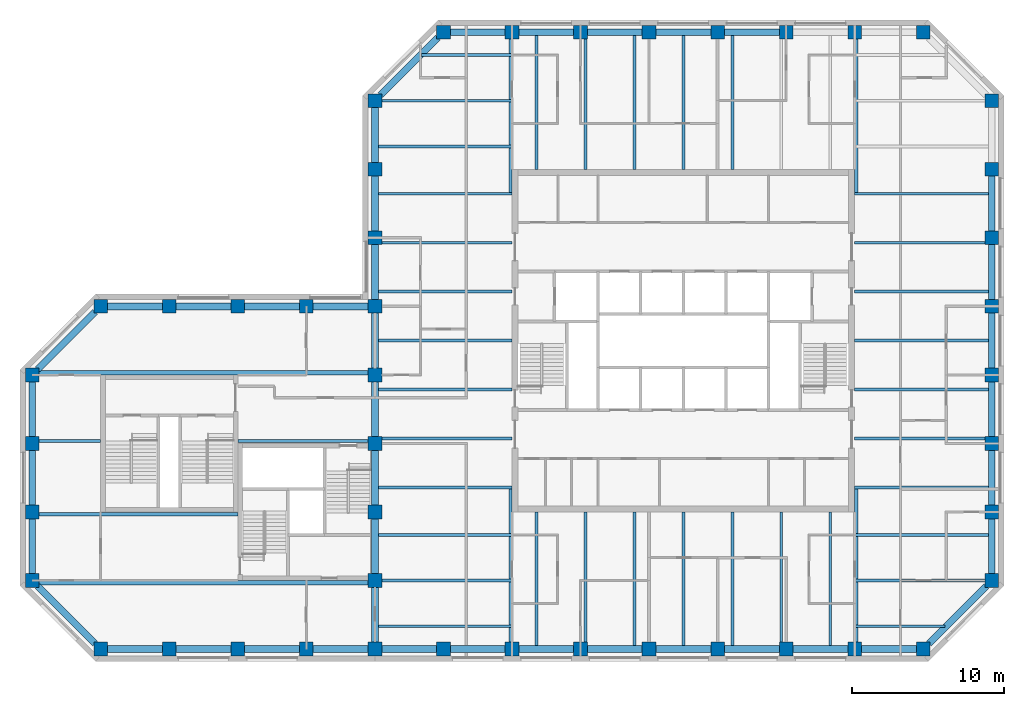
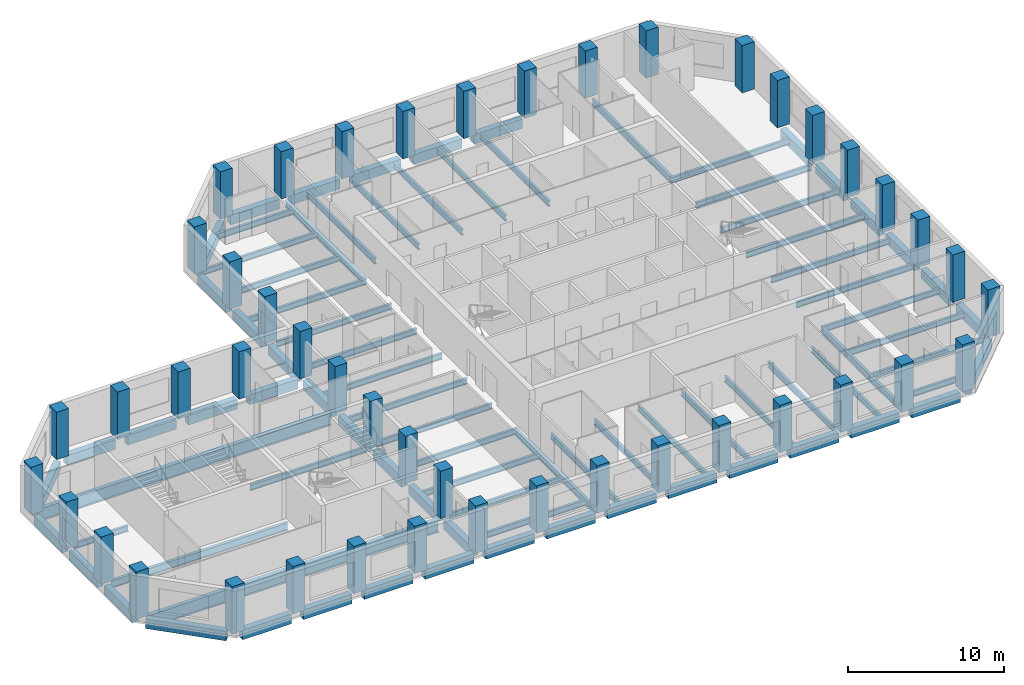
# One storey, part 1 of 10: 86 beams, 45 columns.
"""IFC4 building model written with IfcOpenShell, lengths in metres."""

from ifc_helpers import new_model, si_unit, direction, frame, origin, origin_2d, place, context, subcontext, project, spatial, rectangle, i_section, extrude, material, material_profile, profile_set, type_object, element, save


model = new_model("IFC4")

# Units and contexts
model_context = context("Model", 3, precision=1e-05, world=origin(), true_north=direction((0.0, 1.0)))
body_context = subcontext(model_context, "Body", "Model", "MODEL_VIEW")
ifc_project = project(units=[si_unit("LENGTHUNIT", "METRE"), si_unit("AREAUNIT", "SQUARE_METRE"), si_unit("VOLUMEUNIT", "CUBIC_METRE"), si_unit("PLANEANGLEUNIT", "RADIAN"), si_unit("MASSUNIT", "GRAM", prefix="KILO")], contexts=[model_context])

# Site, building, storey
site_placement = place(None, origin())
site = spatial("IfcSite", under=ifc_project, at=site_placement, CompositionType="ELEMENT")
building_placement = place(site_placement, origin())
building = spatial("IfcBuilding", under=site, at=building_placement, Name="Quoin Convention Tower", CompositionType="ELEMENT")
storey_placement = place(building_placement, frame((0.0, 0.0, 192.10009765625)))
storey = spatial("IfcBuildingStorey", under=building, at=storey_placement, Name="L50", CompositionType="ELEMENT", Elevation=192.10009765625)

# Columns
ifc_material_1 = material(Name="Concrete C50", Category="concrete")
ifc_material_profile_1 = material_profile(ifc_material_1, rectangle(XDim=0.89990234375, YDim=0.89990234375, at=origin_2d()), Name="RC 900x900")
ifc_profile_set_1 = profile_set([ifc_material_profile_1], Name="Concrete C50")
column_type = type_object("IfcColumnType", Name="RC 900x900 C50", PredefinedType="COLUMN", material=ifc_profile_set_1)
for number, where, z_axis, x_axis, name in (
    (1, (18.0, 40.5, 0.0), (0.0, 0.0, 1.0), (1.0, 0.0, 0.0), "col-L50-18000_40500"),
    (2, (22.5, 40.5, 0.0), (0.0, 0.0, 1.0), (1.0, 0.0, 0.0), "col-L50-22500_40500"),
    (3, (27.0, 40.5, 0.0), (0.0, 0.0, 1.0), (1.0, 0.0, 0.0), "col-L50-27000_40500"),
    (4, (31.5, 40.5, 0.0), (0.0, 0.0, 1.0), (1.0, 0.0, 0.0), "col-L50-31500_40500"),
    (5, (36.0, 40.5, 0.0), (0.0, 0.0, 1.0), (1.0, 0.0, 0.0), "col-L50-36000_40500"),
    (6, (40.5, 40.5, 0.0), (0.0, 0.0, 1.0), (1.0, 0.0, 0.0), "col-L50-40500_40500"),
    (7, (45.0, 40.5, 0.0), (0.0, 0.0, 1.0), (1.0, 0.0, 0.0), "col-L50-45000_40500"),
    (8, (49.5, 40.5, 0.0), (0.0, 0.0, 1.0), (1.0, 0.0, 0.0), "col-L50-49500_40500"),
    (9, (54.0, 40.5, 0.0), (0.0, 0.0, 1.0), (1.0, 0.0, 0.0), "col-L50-54000_40500"),
    (10, (58.5, 40.5, 0.0), (0.0, 0.0, 1.0), (1.0, 0.0, 0.0), "col-L50-58500_40500"),
    (11, (63.0, 40.5, 0.0), (0.0, 0.0, 1.0), (1.0, 0.0, 0.0), "col-L50-63000_40500"),
    (12, (67.5, 40.5, 0.0), (0.0, 0.0, 1.0), (1.0, 0.0, 0.0), "col-L50-67500_40500"),
    (13, (72.0, 40.5, 0.0), (0.0, 0.0, 1.0), (1.0, 0.0, 0.0), "col-L50-72000_40500"),
    (14, (13.5, 45.0, 0.0), (0.0, 0.0, 1.0), (1.0, 0.0, 0.0), "col-L50-13500_45000"),
    (15, (36.0, 45.0, 0.0), (0.0, 0.0, 1.0), (1.0, 0.0, 0.0), "web-L50-36000_45000"),
    (16, (76.5, 45.0, 0.0), (0.0, 0.0, 1.0), (1.0, 0.0, 0.0), "col-L50-76500_45000"),
    (17, (13.5, 49.5, 0.0), (0.0, 0.0, 1.0), (1.0, 0.0, 0.0), "col-L50-13500_49500"),
    (18, (36.0, 49.5, 0.0), (0.0, 0.0, 1.0), (1.0, 0.0, 0.0), "web-L50-36000_49500"),
    (19, (76.5, 49.5, 0.0), (0.0, 0.0, 1.0), (1.0, 0.0, 0.0), "col-L50-76500_49500"),
    (20, (13.5, 54.0, 0.0), (0.0, 0.0, 1.0), (1.0, 0.0, 0.0), "col-L50-13500_54000"),
    (21, (36.0, 54.0, 0.0), (0.0, 0.0, 1.0), (1.0, 0.0, 0.0), "web-L50-36000_54000"),
    (22, (76.5, 54.0, 0.0), (0.0, 0.0, 1.0), (1.0, 0.0, 0.0), "col-L50-76500_54000"),
    (23, (13.5, 58.5, 0.0), (0.0, 0.0, 1.0), (1.0, 0.0, 0.0), "col-L50-13500_58500"),
    (24, (36.0, 58.5, 0.0), (0.0, 0.0, 1.0), (1.0, 0.0, 0.0), "web-L50-36000_58500"),
    (25, (76.5, 58.5, 0.0), (0.0, 0.0, 1.0), (1.0, 0.0, 0.0), "col-L50-76500_58500"),
    (26, (18.0, 63.0, 0.0), (0.0, 0.0, 1.0), (1.0, 0.0, 0.0), "col-L50-18000_63000"),
    (27, (22.5, 63.0, 0.0), (0.0, 0.0, 1.0), (1.0, 0.0, 0.0), "col-L50-22500_63000"),
    (28, (27.0, 63.0, 0.0), (0.0, 0.0, 1.0), (1.0, 0.0, 0.0), "col-L50-27000_63000"),
    (29, (31.5, 63.0, 0.0), (0.0, 0.0, 1.0), (1.0, 0.0, 0.0), "col-L50-31500_63000"),
    (30, (36.0, 63.0, 0.0), (0.0, 0.0, 1.0), (1.0, 0.0, 0.0), "col-L50-36000_63000"),
    (31, (76.5, 63.0, 0.0), (0.0, 0.0, 1.0), (1.0, 0.0, 0.0), "col-L50-76500_63000"),
    (32, (36.0, 67.5, 0.0), (0.0, 0.0, 1.0), (1.0, 0.0, 0.0), "col-L50-36000_67500"),
    (33, (76.5, 67.5, 0.0), (0.0, 0.0, 1.0), (1.0, 0.0, 0.0), "col-L50-76500_67500"),
    (34, (36.0, 72.0, 0.0), (0.0, 0.0, 1.0), (1.0, 0.0, 0.0), "col-L50-36000_72000"),
    (35, (76.5, 72.0, 0.0), (0.0, 0.0, 1.0), (1.0, 0.0, 0.0), "col-L50-76500_72000"),
    (36, (36.0, 76.5, 0.0), (0.0, 0.0, 1.0), (1.0, 0.0, 0.0), "col-L50-36000_76500"),
    (37, (76.5, 76.5, 0.0), (0.0, 0.0, 1.0), (1.0, 0.0, 0.0), "col-L50-76500_76500"),
    (38, (40.5, 81.0, 0.0), (0.0, 0.0, 1.0), (1.0, 0.0, 0.0), "col-L50-40500_81000"),
    (39, (45.0, 81.0, 0.0), (0.0, 0.0, 1.0), (1.0, 0.0, 0.0), "col-L50-45000_81000"),
    (40, (49.5, 81.0, 0.0), (0.0, 0.0, 1.0), (1.0, 0.0, 0.0), "col-L50-49500_81000"),
    (41, (54.0, 81.0, 0.0), (0.0, 0.0, 1.0), (1.0, 0.0, 0.0), "col-L50-54000_81000"),
    (42, (58.5, 81.0, 0.0), (0.0, 0.0, 1.0), (1.0, 0.0, 0.0), "col-L50-58500_81000"),
    (43, (63.0, 81.0, 0.0), (0.0, 0.0, 1.0), (1.0, 0.0, 0.0), "col-L50-63000_81000"),
    (44, (67.5, 81.0, 0.0), (0.0, 0.0, 1.0), (1.0, 0.0, 0.0), "col-L50-67500_81000"),
    (45, (72.0, 81.0, 0.0), (0.0, 0.0, 1.0), (1.0, 0.0, 0.0), "col-L50-72000_81000"),
):
    element("IfcColumn", number, at=place(storey_placement, frame(where, z_axis=z_axis, x_axis=x_axis)), inside=storey, type_object=column_type, Name=name, PredefinedType="COLUMN", context=body_context, shape_type="SweptSolid", body=[
        extrude(rectangle(XDim=0.89990234375, YDim=0.89990234375, at=origin_2d()), origin(), (0.0, 0.0, 1.0), 3.699951171875),
    ])

# Beams
ifc_material_2 = material(Name="Steel Grade 300", Category="steel")
ifc_material_profile_2 = material_profile(ifc_material_2, i_section(OverallWidth=0.300048828125, OverallDepth=1.0, WebThickness=0.01611328125, FlangeThickness=0.02001953125, at=origin_2d()), Name="1000WB215")
ifc_profile_set_2 = profile_set([ifc_material_profile_2], Name="Steel Grade 300")
beam_type_1 = type_object("IfcBeamType", Name="1000WB215", PredefinedType="BEAM", material=ifc_profile_set_2)
for number, where, z_axis, x_axis, name in (
    (46, (13.949951171875, 44.85009765625, -0.650146484375), (1.0, 0.0, 0.0), (0.0, 1.0, 0.0), "gir-L50-ST2-1-0"),
    (47, (13.949951171875, 58.64990234375, -0.650146484375), (1.0, 0.0, 0.0), (0.0, 1.0, 0.0), "gir-L50-ST2-4-0"),
):
    element("IfcBeam", number, at=place(storey_placement, frame(where, z_axis=z_axis, x_axis=x_axis)), inside=storey, type_object=beam_type_1, Name=name, PredefinedType="BEAM", context=body_context, shape_type="SweptSolid", body=[
        extrude(i_section(OverallWidth=0.300048828125, OverallDepth=1.0, WebThickness=0.01611328125, FlangeThickness=0.02001953125, at=origin_2d()), origin(), (0.0, 0.0, 1.0), 21.60009765625),
    ])
ifc_material_profile_3 = material_profile(ifc_material_2, i_section(OverallWidth=0.18994140625, OverallDepth=0.4541015625, WebThickness=0.008544921875, FlangeThickness=0.0126953125, FilletRadius=0.011474609375, at=origin_2d()), Name="460UB67.1")
ifc_profile_set_3 = profile_set([ifc_material_profile_3], Name="Steel Grade 300")
beam_type_2 = type_object("IfcBeamType", Name="460UB67.1", PredefinedType="BEAM", material=ifc_profile_set_3)
beam_1_placement = place(storey_placement, frame((36.22509765625, 51.107177734375, -0.377197265625), z_axis=(1.0, 0.0, 0.0), x_axis=(0.0, 1.0, 0.0)))
element("IfcBeam", 48, at=beam_1_placement, inside=storey, type_object=beam_type_2, Name="bm-L50-T1W0", PredefinedType="BEAM", context=body_context, shape_type="SweptSolid", body=[
    extrude(i_section(OverallWidth=0.18994140625, OverallDepth=0.4541015625, WebThickness=0.008544921875, FlangeThickness=0.0126953125, FilletRadius=0.011474609375, at=origin_2d()), origin(), (0.0, 0.0, 1.0), 8.77490234375),
])
beam_2_placement = place(storey_placement, frame((36.449951171875, 54.3212890625, -0.377197265625), z_axis=(1.0, 0.0, 0.0), x_axis=(0.0, 1.0, 0.0)))
element("IfcBeam", 49, at=beam_2_placement, inside=storey, type_object=beam_type_2, Name="bm-L50-T1W1", PredefinedType="BEAM", context=body_context, shape_type="SweptSolid", body=[
    extrude(i_section(OverallWidth=0.18994140625, OverallDepth=0.4541015625, WebThickness=0.008544921875, FlangeThickness=0.0126953125, FilletRadius=0.011474609375, at=origin_2d()), origin(), (0.0, 0.0, 1.0), 8.550048828125),
])
for number, where, z_axis, x_axis, name in (
    (50, (36.22509765625, 57.53564453125, -0.377197265625), (1.0, 0.0, 0.0), (0.0, 1.0, 0.0), "bm-L50-T1W2"),
    (51, (36.22509765625, 60.75, -0.377197265625), (1.0, 0.0, 0.0), (0.0, 1.0, 0.0), "bm-L50-T1W3"),
    (52, (36.22509765625, 63.96435546875, -0.377197265625), (1.0, 0.0, 0.0), (0.0, 1.0, 0.0), "bm-L50-T1W4"),
):
    element("IfcBeam", number, at=place(storey_placement, frame(where, z_axis=z_axis, x_axis=x_axis)), inside=storey, type_object=beam_type_2, Name=name, PredefinedType="BEAM", context=body_context, shape_type="SweptSolid", body=[
        extrude(i_section(OverallWidth=0.18994140625, OverallDepth=0.4541015625, WebThickness=0.008544921875, FlangeThickness=0.0126953125, FilletRadius=0.011474609375, at=origin_2d()), origin(), (0.0, 0.0, 1.0), 8.77490234375),
    ])
beam_3_placement = place(storey_placement, frame((36.449951171875, 67.1787109375, -0.377197265625), z_axis=(1.0, 0.0, 0.0), x_axis=(0.0, 1.0, 0.0)))
element("IfcBeam", 53, at=beam_3_placement, inside=storey, type_object=beam_type_2, Name="bm-L50-T1W5", PredefinedType="BEAM", context=body_context, shape_type="SweptSolid", body=[
    extrude(i_section(OverallWidth=0.18994140625, OverallDepth=0.4541015625, WebThickness=0.008544921875, FlangeThickness=0.0126953125, FilletRadius=0.011474609375, at=origin_2d()), origin(), (0.0, 0.0, 1.0), 8.550048828125),
])
for number, where, z_axis, x_axis, name in (
    (54, (36.22509765625, 70.392822265625, -0.377197265625), (1.0, 0.0, 0.0), (0.0, 1.0, 0.0), "bm-L50-T1W6"),
    (55, (67.5, 51.107177734375, -0.377197265625), (1.0, 0.0, 0.0), (0.0, 1.0, 0.0), "bm-L50-T1E0"),
):
    element("IfcBeam", number, at=place(storey_placement, frame(where, z_axis=z_axis, x_axis=x_axis)), inside=storey, type_object=beam_type_2, Name=name, PredefinedType="BEAM", context=body_context, shape_type="SweptSolid", body=[
        extrude(i_section(OverallWidth=0.18994140625, OverallDepth=0.4541015625, WebThickness=0.008544921875, FlangeThickness=0.0126953125, FilletRadius=0.011474609375, at=origin_2d()), origin(), (0.0, 0.0, 1.0), 8.77490234375),
    ])
beam_4_placement = place(storey_placement, frame((67.5, 54.3212890625, -0.377197265625), z_axis=(1.0, 0.0, 0.0), x_axis=(0.0, 1.0, 0.0)))
element("IfcBeam", 56, at=beam_4_placement, inside=storey, type_object=beam_type_2, Name="bm-L50-T1E1", PredefinedType="BEAM", context=body_context, shape_type="SweptSolid", body=[
    extrude(i_section(OverallWidth=0.18994140625, OverallDepth=0.4541015625, WebThickness=0.008544921875, FlangeThickness=0.0126953125, FilletRadius=0.011474609375, at=origin_2d()), origin(), (0.0, 0.0, 1.0), 8.550048828125),
])
for number, where, z_axis, x_axis, name in (
    (57, (67.5, 57.53564453125, -0.377197265625), (1.0, 0.0, 0.0), (0.0, 1.0, 0.0), "bm-L50-T1E2"),
    (58, (67.5, 60.75, -0.377197265625), (1.0, 0.0, 0.0), (0.0, 1.0, 0.0), "bm-L50-T1E3"),
    (59, (67.5, 63.96435546875, -0.377197265625), (1.0, 0.0, 0.0), (0.0, 1.0, 0.0), "bm-L50-T1E4"),
):
    element("IfcBeam", number, at=place(storey_placement, frame(where, z_axis=z_axis, x_axis=x_axis)), inside=storey, type_object=beam_type_2, Name=name, PredefinedType="BEAM", context=body_context, shape_type="SweptSolid", body=[
        extrude(i_section(OverallWidth=0.18994140625, OverallDepth=0.4541015625, WebThickness=0.008544921875, FlangeThickness=0.0126953125, FilletRadius=0.011474609375, at=origin_2d()), origin(), (0.0, 0.0, 1.0), 8.77490234375),
    ])
beam_5_placement = place(storey_placement, frame((67.5, 67.1787109375, -0.377197265625), z_axis=(1.0, 0.0, 0.0), x_axis=(0.0, 1.0, 0.0)))
element("IfcBeam", 60, at=beam_5_placement, inside=storey, type_object=beam_type_2, Name="bm-L50-T1E5", PredefinedType="BEAM", context=body_context, shape_type="SweptSolid", body=[
    extrude(i_section(OverallWidth=0.18994140625, OverallDepth=0.4541015625, WebThickness=0.008544921875, FlangeThickness=0.0126953125, FilletRadius=0.011474609375, at=origin_2d()), origin(), (0.0, 0.0, 1.0), 8.550048828125),
])
for number, where, z_axis, x_axis, name in (
    (61, (67.5, 70.392822265625, -0.377197265625), (1.0, 0.0, 0.0), (0.0, 1.0, 0.0), "bm-L50-T1E6"),
    (62, (46.607177734375, 40.72509765625, -0.377197265625), (0.0, 1.0, 0.0), (-1.0, 0.0, 0.0), "bm-L50-T1S0"),
):
    element("IfcBeam", number, at=place(storey_placement, frame(where, z_axis=z_axis, x_axis=x_axis)), inside=storey, type_object=beam_type_2, Name=name, PredefinedType="BEAM", context=body_context, shape_type="SweptSolid", body=[
        extrude(i_section(OverallWidth=0.18994140625, OverallDepth=0.4541015625, WebThickness=0.008544921875, FlangeThickness=0.0126953125, FilletRadius=0.011474609375, at=origin_2d()), origin(), (0.0, 0.0, 1.0), 8.77490234375),
    ])
beam_6_placement = place(storey_placement, frame((49.8212890625, 40.949951171875, -0.377197265625), z_axis=(0.0, 1.0, 0.0), x_axis=(-1.0, 0.0, 0.0)))
element("IfcBeam", 63, at=beam_6_placement, inside=storey, type_object=beam_type_2, Name="bm-L50-T1S1", PredefinedType="BEAM", context=body_context, shape_type="SweptSolid", body=[
    extrude(i_section(OverallWidth=0.18994140625, OverallDepth=0.4541015625, WebThickness=0.008544921875, FlangeThickness=0.0126953125, FilletRadius=0.011474609375, at=origin_2d()), origin(), (0.0, 0.0, 1.0), 8.550048828125),
])
for number, where, z_axis, x_axis, name in (
    (64, (53.03564453125, 40.72509765625, -0.377197265625), (0.0, 1.0, 0.0), (-1.0, 0.0, 0.0), "bm-L50-T1S2"),
    (65, (56.25, 40.72509765625, -0.377197265625), (0.0, 1.0, 0.0), (-1.0, 0.0, 0.0), "bm-L50-T1S3"),
    (66, (59.46435546875, 40.72509765625, -0.377197265625), (0.0, 1.0, 0.0), (-1.0, 0.0, 0.0), "bm-L50-T1S4"),
):
    element("IfcBeam", number, at=place(storey_placement, frame(where, z_axis=z_axis, x_axis=x_axis)), inside=storey, type_object=beam_type_2, Name=name, PredefinedType="BEAM", context=body_context, shape_type="SweptSolid", body=[
        extrude(i_section(OverallWidth=0.18994140625, OverallDepth=0.4541015625, WebThickness=0.008544921875, FlangeThickness=0.0126953125, FilletRadius=0.011474609375, at=origin_2d()), origin(), (0.0, 0.0, 1.0), 8.77490234375),
    ])
beam_7_placement = place(storey_placement, frame((62.6787109375, 40.949951171875, -0.377197265625), z_axis=(0.0, 1.0, 0.0), x_axis=(-1.0, 0.0, 0.0)))
element("IfcBeam", 67, at=beam_7_placement, inside=storey, type_object=beam_type_2, Name="bm-L50-T1S5", PredefinedType="BEAM", context=body_context, shape_type="SweptSolid", body=[
    extrude(i_section(OverallWidth=0.18994140625, OverallDepth=0.4541015625, WebThickness=0.008544921875, FlangeThickness=0.0126953125, FilletRadius=0.011474609375, at=origin_2d()), origin(), (0.0, 0.0, 1.0), 8.550048828125),
])
for number, where, z_axis, x_axis, name in (
    (68, (65.892822265625, 40.72509765625, -0.377197265625), (0.0, 1.0, 0.0), (-1.0, 0.0, 0.0), "bm-L50-T1S6"),
    (69, (46.607177734375, 72.0, -0.377197265625), (0.0, 1.0, 0.0), (-1.0, 0.0, 0.0), "bm-L50-T1N0"),
):
    element("IfcBeam", number, at=place(storey_placement, frame(where, z_axis=z_axis, x_axis=x_axis)), inside=storey, type_object=beam_type_2, Name=name, PredefinedType="BEAM", context=body_context, shape_type="SweptSolid", body=[
        extrude(i_section(OverallWidth=0.18994140625, OverallDepth=0.4541015625, WebThickness=0.008544921875, FlangeThickness=0.0126953125, FilletRadius=0.011474609375, at=origin_2d()), origin(), (0.0, 0.0, 1.0), 8.77490234375),
    ])
beam_8_placement = place(storey_placement, frame((49.8212890625, 72.0, -0.377197265625), z_axis=(0.0, 1.0, 0.0), x_axis=(-1.0, 0.0, 0.0)))
element("IfcBeam", 70, at=beam_8_placement, inside=storey, type_object=beam_type_2, Name="bm-L50-T1N1", PredefinedType="BEAM", context=body_context, shape_type="SweptSolid", body=[
    extrude(i_section(OverallWidth=0.18994140625, OverallDepth=0.4541015625, WebThickness=0.008544921875, FlangeThickness=0.0126953125, FilletRadius=0.011474609375, at=origin_2d()), origin(), (0.0, 0.0, 1.0), 8.550048828125),
])
for number, where, z_axis, x_axis, name in (
    (71, (53.03564453125, 72.0, -0.377197265625), (0.0, 1.0, 0.0), (-1.0, 0.0, 0.0), "bm-L50-T1N2"),
    (72, (56.25, 72.0, -0.377197265625), (0.0, 1.0, 0.0), (-1.0, 0.0, 0.0), "bm-L50-T1N3"),
    (73, (59.46435546875, 72.0, -0.377197265625), (0.0, 1.0, 0.0), (-1.0, 0.0, 0.0), "bm-L50-T1N4"),
    (74, (36.22509765625, 42.0, -0.377197265625), (1.0, 0.0, 0.0), (0.0, 1.0, 0.0), "bm-L50-T1SW0"),
):
    element("IfcBeam", number, at=place(storey_placement, frame(where, z_axis=z_axis, x_axis=x_axis)), inside=storey, type_object=beam_type_2, Name=name, PredefinedType="BEAM", context=body_context, shape_type="SweptSolid", body=[
        extrude(i_section(OverallWidth=0.18994140625, OverallDepth=0.4541015625, WebThickness=0.008544921875, FlangeThickness=0.0126953125, FilletRadius=0.011474609375, at=origin_2d()), origin(), (0.0, 0.0, 1.0), 8.77490234375),
    ])
beam_9_placement = place(storey_placement, frame((36.449951171875, 45.0, -0.377197265625), z_axis=(1.0, 0.0, 0.0), x_axis=(0.0, 1.0, 0.0)))
element("IfcBeam", 75, at=beam_9_placement, inside=storey, type_object=beam_type_2, Name="bm-L50-T1SW1", PredefinedType="BEAM", context=body_context, shape_type="SweptSolid", body=[
    extrude(i_section(OverallWidth=0.18994140625, OverallDepth=0.4541015625, WebThickness=0.008544921875, FlangeThickness=0.0126953125, FilletRadius=0.011474609375, at=origin_2d()), origin(), (0.0, 0.0, 1.0), 8.550048828125),
])
beam_10_placement = place(storey_placement, frame((36.22509765625, 48.0, -0.377197265625), z_axis=(1.0, 0.0, 0.0), x_axis=(0.0, 1.0, 0.0)))
element("IfcBeam", 76, at=beam_10_placement, inside=storey, type_object=beam_type_2, Name="bm-L50-T1SW2", PredefinedType="BEAM", context=body_context, shape_type="SweptSolid", body=[
    extrude(i_section(OverallWidth=0.18994140625, OverallDepth=0.4541015625, WebThickness=0.008544921875, FlangeThickness=0.0126953125, FilletRadius=0.011474609375, at=origin_2d()), origin(), (0.0, 0.0, 1.0), 8.77490234375),
])
beam_11_placement = place(storey_placement, frame((67.5, 42.0, -0.377197265625), z_axis=(1.0, 0.0, 0.0), x_axis=(0.0, 1.0, 0.0)))
element("IfcBeam", 77, at=beam_11_placement, inside=storey, type_object=beam_type_2, Name="bm-L50-T1SE0", PredefinedType="BEAM", context=body_context, shape_type="SweptSolid", body=[
    extrude(i_section(OverallWidth=0.18994140625, OverallDepth=0.4541015625, WebThickness=0.008544921875, FlangeThickness=0.0126953125, FilletRadius=0.011474609375, at=origin_2d()), origin(), (0.0, 0.0, 1.0), 5.935791015625),
])
beam_12_placement = place(storey_placement, frame((67.5, 45.0, -0.377197265625), z_axis=(1.0, 0.0, 0.0), x_axis=(0.0, 1.0, 0.0)))
element("IfcBeam", 78, at=beam_12_placement, inside=storey, type_object=beam_type_2, Name="bm-L50-T1SE1", PredefinedType="BEAM", context=body_context, shape_type="SweptSolid", body=[
    extrude(i_section(OverallWidth=0.18994140625, OverallDepth=0.4541015625, WebThickness=0.008544921875, FlangeThickness=0.0126953125, FilletRadius=0.011474609375, at=origin_2d()), origin(), (0.0, 0.0, 1.0), 8.550048828125),
])
beam_13_placement = place(storey_placement, frame((67.5, 48.0, -0.377197265625), z_axis=(1.0, 0.0, 0.0), x_axis=(0.0, 1.0, 0.0)))
element("IfcBeam", 79, at=beam_13_placement, inside=storey, type_object=beam_type_2, Name="bm-L50-T1SE2", PredefinedType="BEAM", context=body_context, shape_type="SweptSolid", body=[
    extrude(i_section(OverallWidth=0.18994140625, OverallDepth=0.4541015625, WebThickness=0.008544921875, FlangeThickness=0.0126953125, FilletRadius=0.011474609375, at=origin_2d()), origin(), (0.0, 0.0, 1.0), 8.77490234375),
])
beam_14_placement = place(storey_placement, frame((39.064208984375, 79.5, -0.377197265625), z_axis=(1.0, 0.0, 0.0), x_axis=(0.0, 1.0, 0.0)))
element("IfcBeam", 80, at=beam_14_placement, inside=storey, type_object=beam_type_2, Name="bm-L50-T1NW0", PredefinedType="BEAM", context=body_context, shape_type="SweptSolid", body=[
    extrude(i_section(OverallWidth=0.18994140625, OverallDepth=0.4541015625, WebThickness=0.008544921875, FlangeThickness=0.0126953125, FilletRadius=0.011474609375, at=origin_2d()), origin(), (0.0, 0.0, 1.0), 5.935791015625),
])
beam_15_placement = place(storey_placement, frame((36.449951171875, 76.5, -0.377197265625), z_axis=(1.0, 0.0, 0.0), x_axis=(0.0, 1.0, 0.0)))
element("IfcBeam", 81, at=beam_15_placement, inside=storey, type_object=beam_type_2, Name="bm-L50-T1NW1", PredefinedType="BEAM", context=body_context, shape_type="SweptSolid", body=[
    extrude(i_section(OverallWidth=0.18994140625, OverallDepth=0.4541015625, WebThickness=0.008544921875, FlangeThickness=0.0126953125, FilletRadius=0.011474609375, at=origin_2d()), origin(), (0.0, 0.0, 1.0), 8.550048828125),
])
beam_16_placement = place(storey_placement, frame((36.22509765625, 73.5, -0.377197265625), z_axis=(1.0, 0.0, 0.0), x_axis=(0.0, 1.0, 0.0)))
element("IfcBeam", 82, at=beam_16_placement, inside=storey, type_object=beam_type_2, Name="bm-L50-T1NW2", PredefinedType="BEAM", context=body_context, shape_type="SweptSolid", body=[
    extrude(i_section(OverallWidth=0.18994140625, OverallDepth=0.4541015625, WebThickness=0.008544921875, FlangeThickness=0.0126953125, FilletRadius=0.011474609375, at=origin_2d()), origin(), (0.0, 0.0, 1.0), 8.77490234375),
])
beam_17_placement = place(storey_placement, frame((13.949951171875, 54.14990234375, -0.377197265625), z_axis=(1.0, 0.0, 0.0), x_axis=(0.0, 1.0, 0.0)))
element("IfcBeam", 83, at=beam_17_placement, inside=storey, type_object=beam_type_2, Name="gir-L50-ST2-3-0", PredefinedType="BEAM", context=body_context, shape_type="SweptSolid", body=[
    extrude(i_section(OverallWidth=0.18994140625, OverallDepth=0.4541015625, WebThickness=0.008544921875, FlangeThickness=0.0126953125, FilletRadius=0.011474609375, at=origin_2d()), origin(), (0.0, 0.0, 1.0), 4.050048828125),
])
beam_18_placement = place(storey_placement, frame((27.0, 54.14990234375, -0.377197265625), z_axis=(1.0, 0.0, 0.0), x_axis=(0.0, 1.0, 0.0)))
element("IfcBeam", 84, at=beam_18_placement, inside=storey, type_object=beam_type_2, Name="gir-L50-ST2-3-1", PredefinedType="BEAM", context=body_context, shape_type="SweptSolid", body=[
    extrude(i_section(OverallWidth=0.18994140625, OverallDepth=0.4541015625, WebThickness=0.008544921875, FlangeThickness=0.0126953125, FilletRadius=0.011474609375, at=origin_2d()), origin(), (0.0, 0.0, 1.0), 8.550048828125),
])
ifc_material_profile_4 = material_profile(ifc_material_2, i_section(OverallWidth=0.208984375, OverallDepth=0.528076171875, WebThickness=0.009521484375, FlangeThickness=0.01318359375, FilletRadius=0.013916015625, at=origin_2d()), Name="530UB82.0")
ifc_profile_set_4 = profile_set([ifc_material_profile_4], Name="Steel Grade 300")
beam_type_3 = type_object("IfcBeamType", Name="530UB82.0", PredefinedType="BEAM", material=ifc_profile_set_4)
for number, where, z_axis, x_axis, name in (
    (85, (44.904541015625, 40.949951171875, -0.4140625), (0.0, 1.0, 0.0), (-1.0, 0.0, 0.0), "gir-L50-T1SW"),
    (86, (67.595458984375, 40.949951171875, -0.4140625), (0.0, 1.0, 0.0), (-1.0, 0.0, 0.0), "gir-L50-T1SE"),
    (87, (44.904541015625, 80.550048828125, -0.4140625), (0.0, -1.0, 0.0), (1.0, 0.0, 0.0), "gir-L50-T1NW"),
    (88, (67.595458984375, 80.550048828125, -0.4140625), (0.0, -1.0, 0.0), (1.0, 0.0, 0.0), "gir-L50-T1NE"),
):
    element("IfcBeam", number, at=place(storey_placement, frame(where, z_axis=z_axis, x_axis=x_axis)), inside=storey, type_object=beam_type_3, Name=name, PredefinedType="BEAM", context=body_context, shape_type="SweptSolid", body=[
        extrude(i_section(OverallWidth=0.208984375, OverallDepth=0.528076171875, WebThickness=0.009521484375, FlangeThickness=0.01318359375, FilletRadius=0.013916015625, at=origin_2d()), origin(), (0.0, 0.0, 1.0), 10.062255859375),
    ])
ifc_material_profile_5 = material_profile(ifc_material_2, i_section(OverallWidth=0.22802734375, OverallDepth=0.60205078125, WebThickness=0.010498046875, FlangeThickness=0.014892578125, FilletRadius=0.013916015625, at=origin_2d()), Name="610UB101")
ifc_profile_set_5 = profile_set([ifc_material_profile_5], Name="Steel Grade 300")
beam_type_4 = type_object("IfcBeamType", Name="610UB101", PredefinedType="BEAM", material=ifc_profile_set_5)
beam_19_placement = place(storey_placement, frame((13.949951171875, 49.35009765625, -0.451171875), z_axis=(1.0, 0.0, 0.0), x_axis=(0.0, 1.0, 0.0)))
element("IfcBeam", 89, at=beam_19_placement, inside=storey, type_object=beam_type_4, Name="gir-L50-ST2-2-0", PredefinedType="BEAM", context=body_context, shape_type="SweptSolid", body=[
    extrude(i_section(OverallWidth=0.22802734375, OverallDepth=0.60205078125, WebThickness=0.010498046875, FlangeThickness=0.014892578125, FilletRadius=0.013916015625, at=origin_2d()), origin(), (0.0, 0.0, 1.0), 13.050048828125),
])
ifc_material_profile_6 = material_profile(ifc_material_1, rectangle(XDim=0.449951171875, YDim=0.75, at=origin_2d()), Name="RC 450x750")
ifc_profile_set_6 = profile_set([ifc_material_profile_6], Name="Concrete C50")
beam_type_5 = type_object("IfcBeamType", Name="RC 450x750 C50", PredefinedType="SPANDREL", material=ifc_profile_set_6)
for number, where, z_axis, x_axis, name in (
    (90, (36.449951171875, 40.5, -0.525146484375), (1.0, 0.0, 0.0), (0.0, 1.0, 0.0), "spd-L50-36000_40500-40500_40500"),
    (91, (40.949951171875, 40.5, -0.525146484375), (1.0, 0.0, 0.0), (0.0, 1.0, 0.0), "spd-L50-40500_40500-45000_40500"),
    (92, (45.449951171875, 40.5, -0.525146484375), (1.0, 0.0, 0.0), (0.0, 1.0, 0.0), "spd-L50-45000_40500-49500_40500"),
    (93, (49.949951171875, 40.5, -0.525146484375), (1.0, 0.0, 0.0), (0.0, 1.0, 0.0), "spd-L50-49500_40500-54000_40500"),
    (94, (54.449951171875, 40.5, -0.525146484375), (1.0, 0.0, 0.0), (0.0, 1.0, 0.0), "spd-L50-54000_40500-58500_40500"),
    (95, (58.949951171875, 40.5, -0.525146484375), (1.0, 0.0, 0.0), (0.0, 1.0, 0.0), "spd-L50-58500_40500-63000_40500"),
    (96, (63.449951171875, 40.5, -0.525146484375), (1.0, 0.0, 0.0), (0.0, 1.0, 0.0), "spd-L50-63000_40500-67500_40500"),
    (97, (67.949951171875, 40.5, -0.525146484375), (1.0, 0.0, 0.0), (0.0, 1.0, 0.0), "spd-L50-67500_40500-72000_40500"),
):
    element("IfcBeam", number, at=place(storey_placement, frame(where, z_axis=z_axis, x_axis=x_axis)), inside=storey, type_object=beam_type_5, Name=name, PredefinedType="SPANDREL", context=body_context, shape_type="SweptSolid", body=[
        extrude(rectangle(XDim=0.449951171875, YDim=0.75, at=origin_2d()), origin(), (0.0, 0.0, 1.0), 3.60009765625),
    ])
beam_20_placement = place(storey_placement, frame((72.364990234375, 40.864990234375, -0.525146484375), z_axis=(0.707106781187, 0.707106781187, 0.0), x_axis=(-0.707106781187, 0.707106781187, 0.0)))
element("IfcBeam", 98, at=beam_20_placement, inside=storey, type_object=beam_type_5, Name="spd-L50-72000_40500-76500_45000", PredefinedType="SPANDREL", context=body_context, shape_type="SweptSolid", body=[
    extrude(rectangle(XDim=0.449951171875, YDim=0.75, at=origin_2d()), origin(), (0.0, 0.0, 1.0), 5.33154296875),
])
for number, where, z_axis, x_axis, name in (
    (99, (76.5, 45.449951171875, -0.525146484375), (0.0, 1.0, 0.0), (-1.0, 0.0, 0.0), "spd-L50-76500_45000-76500_49500"),
    (100, (76.5, 49.949951171875, -0.525146484375), (0.0, 1.0, 0.0), (-1.0, 0.0, 0.0), "spd-L50-76500_49500-76500_54000"),
    (101, (76.5, 54.449951171875, -0.525146484375), (0.0, 1.0, 0.0), (-1.0, 0.0, 0.0), "spd-L50-76500_54000-76500_58500"),
    (102, (76.5, 58.949951171875, -0.525146484375), (0.0, 1.0, 0.0), (-1.0, 0.0, 0.0), "spd-L50-76500_58500-76500_63000"),
    (103, (76.5, 63.449951171875, -0.525146484375), (0.0, 1.0, 0.0), (-1.0, 0.0, 0.0), "spd-L50-76500_63000-76500_67500"),
    (104, (76.5, 67.949951171875, -0.525146484375), (0.0, 1.0, 0.0), (-1.0, 0.0, 0.0), "spd-L50-76500_67500-76500_72000"),
    (105, (62.550048828125, 81.0, -0.525146484375), (-1.0, 0.0, 0.0), (0.0, -1.0, 0.0), "spd-L50-63000_81000-58500_81000"),
    (106, (58.050048828125, 81.0, -0.525146484375), (-1.0, 0.0, 0.0), (0.0, -1.0, 0.0), "spd-L50-58500_81000-54000_81000"),
    (107, (53.550048828125, 81.0, -0.525146484375), (-1.0, 0.0, 0.0), (0.0, -1.0, 0.0), "spd-L50-54000_81000-49500_81000"),
    (108, (49.050048828125, 81.0, -0.525146484375), (-1.0, 0.0, 0.0), (0.0, -1.0, 0.0), "spd-L50-49500_81000-45000_81000"),
    (109, (44.550048828125, 81.0, -0.525146484375), (-1.0, 0.0, 0.0), (0.0, -1.0, 0.0), "spd-L50-45000_81000-40500_81000"),
):
    element("IfcBeam", number, at=place(storey_placement, frame(where, z_axis=z_axis, x_axis=x_axis)), inside=storey, type_object=beam_type_5, Name=name, PredefinedType="SPANDREL", context=body_context, shape_type="SweptSolid", body=[
        extrude(rectangle(XDim=0.449951171875, YDim=0.75, at=origin_2d()), origin(), (0.0, 0.0, 1.0), 3.60009765625),
    ])
beam_21_placement = place(storey_placement, frame((40.135009765625, 80.635009765625, -0.525146484375), z_axis=(-0.707106781187, -0.707106781187, 0.0), x_axis=(0.707106781187, -0.707106781187, 0.0)))
element("IfcBeam", 110, at=beam_21_placement, inside=storey, type_object=beam_type_5, Name="spd-L50-40500_81000-36000_76500", PredefinedType="SPANDREL", context=body_context, shape_type="SweptSolid", body=[
    extrude(rectangle(XDim=0.449951171875, YDim=0.75, at=origin_2d()), origin(), (0.0, 0.0, 1.0), 5.33154296875),
])
for number, where, z_axis, x_axis, name in (
    (111, (36.0, 76.050048828125, -0.525146484375), (0.0, -1.0, 0.0), (1.0, 0.0, 0.0), "spd-L50-36000_76500-36000_72000"),
    (112, (36.0, 71.550048828125, -0.525146484375), (0.0, -1.0, 0.0), (1.0, 0.0, 0.0), "spd-L50-36000_72000-36000_67500"),
    (113, (36.0, 67.050048828125, -0.525146484375), (0.0, -1.0, 0.0), (1.0, 0.0, 0.0), "spd-L50-36000_67500-36000_63000"),
    (114, (35.550048828125, 63.0, -0.525146484375), (-1.0, 0.0, 0.0), (0.0, -1.0, 0.0), "spd-L50-36000_63000-31500_63000"),
    (115, (31.050048828125, 63.0, -0.525146484375), (-1.0, 0.0, 0.0), (0.0, -1.0, 0.0), "spd-L50-31500_63000-27000_63000"),
    (116, (26.550048828125, 63.0, -0.525146484375), (-1.0, 0.0, 0.0), (0.0, -1.0, 0.0), "spd-L50-27000_63000-22500_63000"),
    (117, (22.050048828125, 63.0, -0.525146484375), (-1.0, 0.0, 0.0), (0.0, -1.0, 0.0), "spd-L50-22500_63000-18000_63000"),
):
    element("IfcBeam", number, at=place(storey_placement, frame(where, z_axis=z_axis, x_axis=x_axis)), inside=storey, type_object=beam_type_5, Name=name, PredefinedType="SPANDREL", context=body_context, shape_type="SweptSolid", body=[
        extrude(rectangle(XDim=0.449951171875, YDim=0.75, at=origin_2d()), origin(), (0.0, 0.0, 1.0), 3.60009765625),
    ])
beam_22_placement = place(storey_placement, frame((17.635009765625, 62.635009765625, -0.525146484375), z_axis=(-0.707106781187, -0.707106781187, 0.0), x_axis=(0.707106781187, -0.707106781187, 0.0)))
element("IfcBeam", 118, at=beam_22_placement, inside=storey, type_object=beam_type_5, Name="spd-L50-18000_63000-13500_58500", PredefinedType="SPANDREL", context=body_context, shape_type="SweptSolid", body=[
    extrude(rectangle(XDim=0.449951171875, YDim=0.75, at=origin_2d()), origin(), (0.0, 0.0, 1.0), 5.33154296875),
])
for number, where, z_axis, x_axis, name in (
    (119, (13.5, 58.050048828125, -0.525146484375), (0.0, -1.0, 0.0), (1.0, 0.0, 0.0), "spd-L50-13500_58500-13500_54000"),
    (120, (13.5, 53.550048828125, -0.525146484375), (0.0, -1.0, 0.0), (1.0, 0.0, 0.0), "spd-L50-13500_54000-13500_49500"),
    (121, (13.5, 49.050048828125, -0.525146484375), (0.0, -1.0, 0.0), (1.0, 0.0, 0.0), "spd-L50-13500_49500-13500_45000"),
):
    element("IfcBeam", number, at=place(storey_placement, frame(where, z_axis=z_axis, x_axis=x_axis)), inside=storey, type_object=beam_type_5, Name=name, PredefinedType="SPANDREL", context=body_context, shape_type="SweptSolid", body=[
        extrude(rectangle(XDim=0.449951171875, YDim=0.75, at=origin_2d()), origin(), (0.0, 0.0, 1.0), 3.60009765625),
    ])
beam_23_placement = place(storey_placement, frame((13.864990234375, 44.635009765625, -0.525146484375), z_axis=(0.707106781187, -0.707106781187, 0.0), x_axis=(0.707106781187, 0.707106781187, 0.0)))
element("IfcBeam", 122, at=beam_23_placement, inside=storey, type_object=beam_type_5, Name="spd-L50-13500_45000-18000_40500", PredefinedType="SPANDREL", context=body_context, shape_type="SweptSolid", body=[
    extrude(rectangle(XDim=0.449951171875, YDim=0.75, at=origin_2d()), origin(), (0.0, 0.0, 1.0), 5.33154296875),
])
for number, where, z_axis, x_axis, name in (
    (123, (18.449951171875, 40.5, -0.525146484375), (1.0, 0.0, 0.0), (0.0, 1.0, 0.0), "spd-L50-18000_40500-22500_40500"),
    (124, (22.949951171875, 40.5, -0.525146484375), (1.0, 0.0, 0.0), (0.0, 1.0, 0.0), "spd-L50-22500_40500-27000_40500"),
    (125, (27.449951171875, 40.5, -0.525146484375), (1.0, 0.0, 0.0), (0.0, 1.0, 0.0), "spd-L50-27000_40500-31500_40500"),
    (126, (31.949951171875, 40.5, -0.525146484375), (1.0, 0.0, 0.0), (0.0, 1.0, 0.0), "spd-L50-31500_40500-36000_40500"),
    (127, (36.0, 40.949951171875, -0.525146484375), (0.0, 1.0, 0.0), (-1.0, 0.0, 0.0), "spd-L50-36000_40500-36000_45000"),
    (128, (36.0, 45.449951171875, -0.525146484375), (0.0, 1.0, 0.0), (-1.0, 0.0, 0.0), "spd-L50-36000_45000-36000_49500"),
    (129, (36.0, 49.949951171875, -0.525146484375), (0.0, 1.0, 0.0), (-1.0, 0.0, 0.0), "spd-L50-36000_49500-36000_54000"),
    (130, (36.0, 54.449951171875, -0.525146484375), (0.0, 1.0, 0.0), (-1.0, 0.0, 0.0), "spd-L50-36000_54000-36000_58500"),
    (131, (36.0, 58.949951171875, -0.525146484375), (0.0, 1.0, 0.0), (-1.0, 0.0, 0.0), "spd-L50-36000_58500-36000_63000"),
):
    element("IfcBeam", number, at=place(storey_placement, frame(where, z_axis=z_axis, x_axis=x_axis)), inside=storey, type_object=beam_type_5, Name=name, PredefinedType="SPANDREL", context=body_context, shape_type="SweptSolid", body=[
        extrude(rectangle(XDim=0.449951171875, YDim=0.75, at=origin_2d()), origin(), (0.0, 0.0, 1.0), 3.60009765625),
    ])

save(model, "model.ifc")
